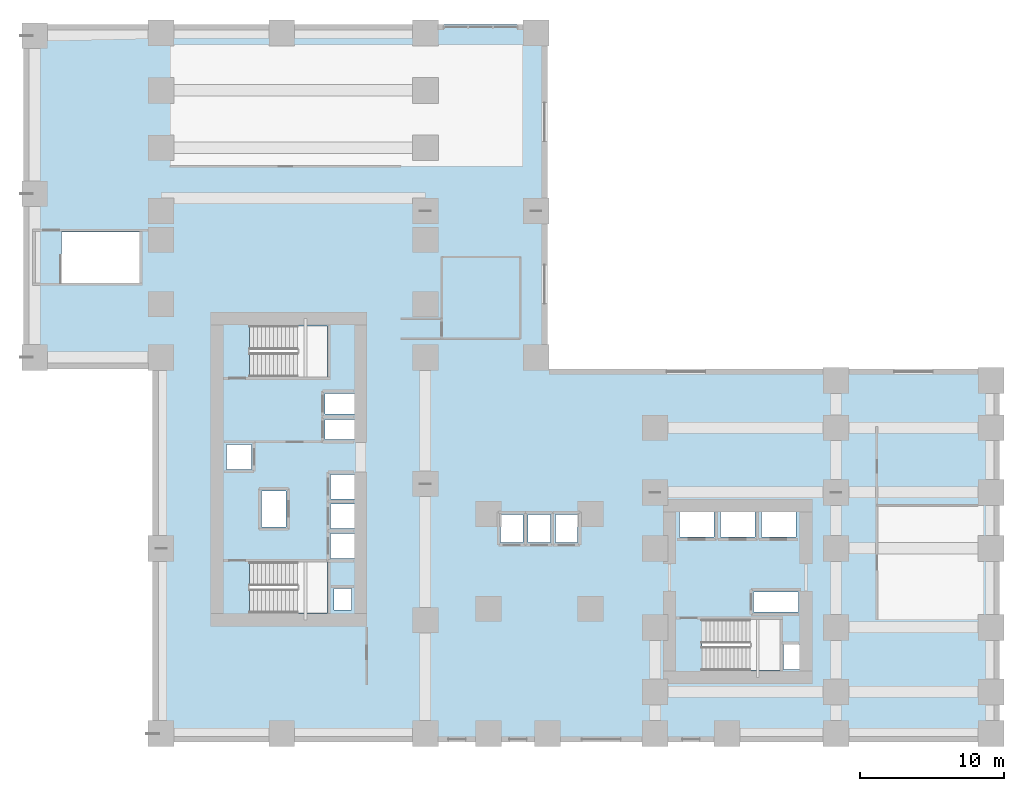
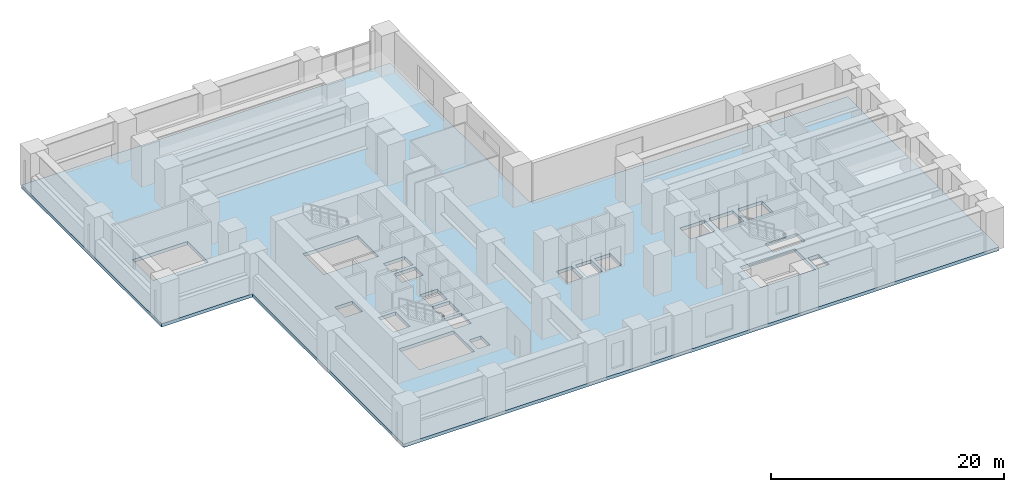
# One storey, part 4 of 12: 1 slab.
"""IFC4 building model written with IfcOpenShell, lengths in metres."""

from ifc_helpers import new_model, si_unit, direction, frame, origin, place, context, subcontext, project, spatial, polyline, outline, extrude, material, layer, layer_set, type_object, element, save


model = new_model("IFC4")

# Units and contexts
model_context = context("Model", 3, precision=1e-05, world=origin(), true_north=direction((0.0, 1.0)))
body_context = subcontext(model_context, "Body", "Model", "MODEL_VIEW")
ifc_project = project(units=[si_unit("LENGTHUNIT", "METRE"), si_unit("AREAUNIT", "SQUARE_METRE"), si_unit("VOLUMEUNIT", "CUBIC_METRE"), si_unit("PLANEANGLEUNIT", "RADIAN"), si_unit("MASSUNIT", "GRAM", prefix="KILO")], contexts=[model_context])

# Site, building, storey
site_placement = place(None, origin())
site = spatial("IfcSite", under=ifc_project, at=site_placement, CompositionType="ELEMENT")
building_placement = place(site_placement, origin())
building = spatial("IfcBuilding", under=site, at=building_placement, Name="Kharzan Plaza Tower", CompositionType="ELEMENT")
storey_placement = place(building_placement, frame((0.0, 0.0, 18.0)))
storey = spatial("IfcBuildingStorey", under=building, at=storey_placement, Name="L04", CompositionType="ELEMENT", Elevation=18.0)

# Slab
ifc_material = material(Name="Concrete C40/50", Category="concrete")
ifc_layer = layer(ifc_material, 0.35009765625)
ifc_layer_set = layer_set([ifc_layer], Name="Concrete C40/50")
slab_type = type_object("IfcSlabType", Name="SL-FLOOR-350", PredefinedType="FLOOR", material=ifc_layer_set)
slab_placement = place(storey_placement, frame((0.0, 0.0, -0.35009765625)))
element("IfcSlab", 1, at=slab_placement, inside=storey, type_object=slab_type, Name="L04 Composite Structural Floor Slab 350 mm", PredefinedType="FLOOR", context=body_context, shape_type="SweptSolid", body=[
    extrude(outline(polyline([(59.0, 0.0), (59.0, 26.0), (27.5, 26.0), (27.5, 50.0), (-9.0, 50.0), (-9.0, 26.0), (0.0, 26.0), (0.0, 0.0), (59.0, 0.0)]), holes=[polyline([(12.199951171875, 9.0), (12.199951171875, 12.550048828125), (6.75, 12.550048828125), (6.75, 9.0), (12.199951171875, 9.0)]), polyline([(14.10009765625, 12.800048828125), (14.10009765625, 14.530029296875), (12.39990234375, 14.530029296875), (12.39990234375, 12.800048828125), (14.10009765625, 12.800048828125)]), polyline([(14.10009765625, 14.8701171875), (14.10009765625, 16.60009765625), (12.39990234375, 16.60009765625), (12.39990234375, 14.8701171875), (14.10009765625, 14.8701171875)]), polyline([(7.60009765625, 15.0), (9.300048828125, 15.0), (9.300048828125, 17.5), (7.60009765625, 17.5), (7.60009765625, 15.0)]), polyline([(12.39990234375, 16.93994140625), (14.10009765625, 16.93994140625), (14.10009765625, 18.64990234375), (12.39990234375, 18.64990234375), (12.39990234375, 16.93994140625)]), polyline([(6.89990234375, 19.010009765625), (6.89990234375, 20.72998046875), (5.14990234375, 20.72998046875), (5.14990234375, 19.010009765625), (6.89990234375, 19.010009765625)]), polyline([(14.10009765625, 21.070068359375), (14.10009765625, 22.489990234375), (12.0, 22.489990234375), (12.0, 21.070068359375), (14.10009765625, 21.070068359375)]), polyline([(14.10009765625, 22.8701171875), (14.10009765625, 24.2900390625), (12.0, 24.2900390625), (12.0, 22.8701171875), (14.10009765625, 22.8701171875)]), polyline([(6.75, 25.449951171875), (12.199951171875, 25.449951171875), (12.199951171875, 29.0), (6.75, 29.0), (6.75, 25.449951171875)]), polyline([(-6.35009765625, 32.0), (-0.89990234375, 32.0), (-0.89990234375, 35.550048828125), (-6.35009765625, 35.550048828125), (-6.35009765625, 32.0)]), polyline([(45.050048828125, 5.050048828125), (45.050048828125, 6.800048828125), (43.949951171875, 6.800048828125), (43.949951171875, 5.050048828125), (45.050048828125, 5.050048828125)]), polyline([(43.699951171875, 5.0), (43.699951171875, 8.550048828125), (38.25, 8.550048828125), (38.25, 5.0), (43.699951171875, 5.0)]), polyline([(45.0, 9.070068359375), (45.0, 10.469970703125), (41.85009765625, 10.469970703125), (41.85009765625, 9.070068359375), (45.0, 9.070068359375)]), polyline([(12.64990234375, 9.199951171875), (13.85009765625, 9.199951171875), (13.85009765625, 10.699951171875), (12.64990234375, 10.699951171875), (12.64990234375, 9.199951171875)]), polyline([(24.25, 13.89990234375), (25.800048828125, 13.89990234375), (25.800048828125, 15.85009765625), (24.25, 15.85009765625), (24.25, 13.89990234375)]), polyline([(27.699951171875, 13.89990234375), (27.699951171875, 15.85009765625), (26.14990234375, 15.85009765625), (26.14990234375, 13.89990234375), (27.699951171875, 13.89990234375)]), polyline([(29.60009765625, 13.89990234375), (29.60009765625, 15.85009765625), (28.050048828125, 15.85009765625), (28.050048828125, 13.89990234375), (29.60009765625, 13.89990234375)]), polyline([(39.10009765625, 14.300048828125), (39.10009765625, 16.14990234375), (36.699951171875, 16.14990234375), (36.699951171875, 14.300048828125), (39.10009765625, 14.300048828125)]), polyline([(39.550048828125, 14.300048828125), (41.949951171875, 14.300048828125), (41.949951171875, 16.14990234375), (39.550048828125, 16.14990234375), (39.550048828125, 14.300048828125)]), polyline([(42.39990234375, 14.300048828125), (44.800048828125, 14.300048828125), (44.800048828125, 16.14990234375), (42.39990234375, 16.14990234375), (42.39990234375, 14.300048828125)])]), origin(), (0.0, 0.0, 1.0), 0.35009765625),
])

save(model, "model.ifc")
